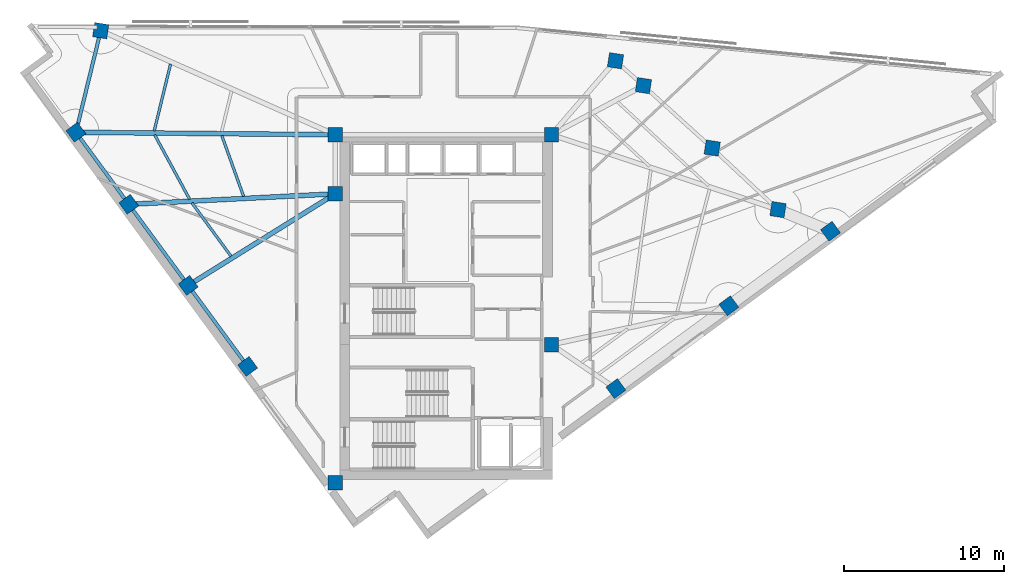
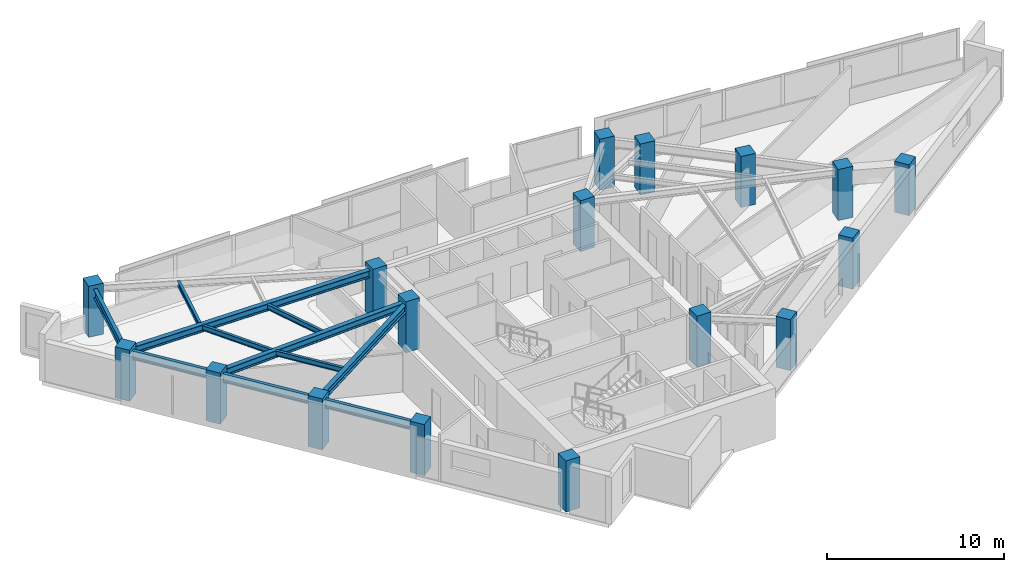
# One storey, part 1 of 14: 17 columns, 11 beams.
"""IFC4 building model written with IfcOpenShell, lengths in metres."""

import ifcopenshell
import ifcopenshell.guid

model = None  # the IFC model being written
_history = None  # IfcOwnerHistory: only IFC2X3 demands one
_inside = {}  # id of a spatial element -> (the spatial element, [elements in it])
_under = {}  # id of a project, library or spatial element -> (it, [spatial elements below it])
_declared = {}  # id of a project -> (the project, [libraries it declares])
_typed = {}  # id of a type object -> (the type object, [elements of that type])
_made_of = {}  # id of a material, layer set ... -> (it, [elements and type objects made of it])


def new_model(schema):
    """Start an empty IFC model of exactly this schema.

    Asked for "IFC4X3", IfcOpenShell would pick the latest addendum, in which some entities
    have other attributes; the version numbers below select the first issue.
    IFC2X3 requires an IfcOwnerHistory on every rooted entity: one is made here for all.
    """
    global model, _history
    if schema == "IFC4X3":
        model = ifcopenshell.file(schema_version=(4, 3, 0, 0))
    else:
        model = ifcopenshell.file(schema=schema)
    _inside.clear()
    _under.clear()
    _declared.clear()
    _typed.clear()
    _made_of.clear()
    _history = None
    if model.schema == "IFC2X3":
        org = make("IfcOrganization", Name="unknown")
        user = make(
            "IfcPersonAndOrganization",
            ThePerson=make("IfcPerson", FamilyName="unknown"),
            TheOrganization=org,
        )
        app = make(
            "IfcApplication",
            ApplicationDeveloper=org,
            Version="unknown",
            ApplicationFullName="unknown",
            ApplicationIdentifier="unknown",
        )
        _history = make(
            "IfcOwnerHistory",
            OwningUser=user,
            OwningApplication=app,
            ChangeAction="ADDED",
            CreationDate=0,
        )
    return model


def make(cls, **values):
    """One entity of the class cls with the attributes given. An attribute that is None is left unset."""
    return model.create_entity(
        cls, **{name: value for name, value in values.items() if value is not None}
    )


def rooted(cls, **values):
    """An entity with a GlobalId (a new one), such as an element, a storey or a relation."""
    return make(cls, GlobalId=ifcopenshell.guid.new(), OwnerHistory=_history, **values)


def si_unit(unit_type, name, prefix=None):
    """IfcSIUnit, for example si_unit("LENGTHUNIT", "METRE", prefix="MILLI")."""
    return make("IfcSIUnit", UnitType=unit_type, Prefix=prefix, Name=name)


def assignment(units):
    """IfcUnitAssignment: the units of a project."""
    return None if units is None else make("IfcUnitAssignment", Units=units)


def point(xyz):
    """IfcCartesianPoint."""
    return None if xyz is None else make("IfcCartesianPoint", Coordinates=xyz)


def direction(xyz):
    """IfcDirection."""
    return None if xyz is None else make("IfcDirection", DirectionRatios=xyz)


def frame(location, z_axis=None, x_axis=None):
    """IfcAxis2Placement3D, a coordinate frame: its origin and axes. An axis left out is left unset."""
    return make(
        "IfcAxis2Placement3D",
        Location=point(location),
        Axis=direction(z_axis),
        RefDirection=direction(x_axis),
    )


def frame_2d(location, x_axis=None):
    """IfcAxis2Placement2D, a coordinate frame in the plane: its origin and x axis."""
    return make(
        "IfcAxis2Placement2D", Location=point(location), RefDirection=direction(x_axis)
    )


def origin():
    """The frame at (0, 0, 0) with its axes left unset."""
    return frame((0.0, 0.0, 0.0))


def origin_2d():
    """The frame at (0, 0) in the plane with its x axis left unset."""
    return frame_2d((0.0, 0.0))


def place(relative_to, where):
    """IfcLocalPlacement: puts the frame where relative to a parent placement (None: the world)."""
    return make(
        "IfcLocalPlacement", PlacementRelTo=relative_to, RelativePlacement=where
    )


def context(
    kind, dimensions, precision=None, world=None, true_north=None, identifier=None
):
    """IfcGeometricRepresentationContext, for example the 3D "Model" context."""
    return make(
        "IfcGeometricRepresentationContext",
        ContextIdentifier=identifier,
        ContextType=kind,
        CoordinateSpaceDimension=dimensions,
        Precision=precision,
        WorldCoordinateSystem=world,
        TrueNorth=true_north,
    )


def subcontext(parent, identifier, kind, view, scale=None):
    """IfcGeometricRepresentationSubContext, for example "Body" below "Model"."""
    return make(
        "IfcGeometricRepresentationSubContext",
        ContextIdentifier=identifier,
        ContextType=kind,
        ParentContext=parent,
        TargetScale=scale,
        TargetView=view,
    )


def project(units=None, contexts=None):
    """IfcProject with its units and contexts."""
    return rooted(
        "IfcProject",
        Name="project",
        RepresentationContexts=contexts,
        UnitsInContext=assignment(units),
    )


def spatial(cls, under=None, at=None, **own):
    """A site, building, storey or space (cls), placed at a placement, below another one or the project."""
    s = rooted(cls, ObjectPlacement=at, **own)
    if under is not None:
        _under.setdefault(under.id(), (under, []))[1].append(s)
    return s


def profile(cls, at=None, kind="AREA", **sizes):
    """A parametric profile (cls). Its sizes go by their IFC names, for example OverallWidth=200.0."""
    return make(cls, ProfileType=kind, Position=at, **sizes)


def rectangle(**sizes):
    """IfcRectangleProfileDef."""
    return profile("IfcRectangleProfileDef", **sizes)


def i_section(**sizes):
    """IfcIShapeProfileDef."""
    return profile("IfcIShapeProfileDef", **sizes)


def extrude(swept, where, along, depth):
    """IfcExtrudedAreaSolid: the profile swept, set in the frame where, extruded along a direction by depth."""
    return make(
        "IfcExtrudedAreaSolid",
        SweptArea=swept,
        Position=where,
        ExtrudedDirection=direction(along),
        Depth=depth,
    )


def shape(context_of_items, identifier, shape_type, items):
    """IfcShapeRepresentation: the items that make up one representation, for example the "Body"."""
    return make(
        "IfcShapeRepresentation",
        ContextOfItems=context_of_items,
        RepresentationIdentifier=identifier,
        RepresentationType=shape_type,
        Items=items,
    )


def material(Name=None, Category=None):
    """IfcMaterial."""
    return make("IfcMaterial", Name=Name, Category=Category)


def material_profile(
    of_material, cross_section, Name=None, Category=None, Priority=None
):
    """IfcMaterialProfile: a cross section and its material."""
    return make(
        "IfcMaterialProfile",
        Name=Name,
        Material=of_material,
        Profile=cross_section,
        Priority=Priority,
        Category=Category,
    )


def profile_set(profiles, Name=None, composite=None):
    """IfcMaterialProfileSet."""
    return make(
        "IfcMaterialProfileSet",
        Name=Name,
        MaterialProfiles=profiles,
        CompositeProfile=composite,
    )


def made_of(thing, what):
    """Note that an element or type object is made of a material, layer set ...; save() writes the relation."""
    if what is not None:
        _made_of.setdefault(what.id(), (what, []))[1].append(thing)
    return thing


def type_object(cls, material=None, **own):
    """A type object (cls), such as IfcWallType, which elements share."""
    return made_of(rooted(cls, **own), material)


def element(
    cls,
    number,
    at=None,
    inside=None,
    cuts=None,
    type_object=None,
    material=None,
    context=None,
    identifier="Body",
    shape_type=None,
    held_by="IfcProductDefinitionShape",
    body=None,
    shapes=None,
    **own,
):
    """One element of the class cls, such as IfcWall. Its Tag is "e" and its number.

    at: its placement. inside: the storey or other place that contains it. cuts: it is an
    opening in that element (IfcRelVoidsElement). A single representation is given by context,
    identifier, shape_type and body (its items); several are given by shapes. held_by: the class
    of the entity that holds the representations. save() writes the other relations.
    """
    e = rooted(cls, Tag="e%d" % number, ObjectPlacement=at, **own)
    if body is not None:
        shapes = [shape(context, identifier, shape_type, body)]
    if shapes is not None:
        e.Representation = make(held_by, Representations=shapes)
    if inside is not None:
        _inside.setdefault(inside.id(), (inside, []))[1].append(e)
    if cuts is not None:
        rooted(
            "IfcRelVoidsElement", RelatingBuildingElement=cuts, RelatedOpeningElement=e
        )
    if type_object is not None:
        _typed.setdefault(type_object.id(), (type_object, []))[1].append(e)
    return made_of(e, material)


def aggregate(whole, parts):
    """IfcRelAggregates: a whole, such as a stair, and the parts it consists of."""
    return rooted("IfcRelAggregates", RelatingObject=whole, RelatedObjects=parts)


def save(model, path):
    """Write the relations noted so far, then the file.

    IfcRelAggregates (storeys below a building ...), IfcRelContainedInSpatialStructure (elements
    in a storey), IfcRelDefinesByType, IfcRelAssociatesMaterial and IfcRelDeclares: one each for
    every whole, place, type object, material and project.
    """
    for whole, parts in _under.values():
        aggregate(whole, parts)
    for where, things in _inside.values():
        rooted(
            "IfcRelContainedInSpatialStructure",
            RelatedElements=things,
            RelatingStructure=where,
        )
    for kind, things in _typed.values():
        rooted("IfcRelDefinesByType", RelatedObjects=things, RelatingType=kind)
    for what, things in _made_of.values():
        rooted("IfcRelAssociatesMaterial", RelatedObjects=things, RelatingMaterial=what)
    for by, libraries in _declared.values():
        rooted("IfcRelDeclares", RelatingContext=by, RelatedDefinitions=libraries)
    model.write(path)


model = new_model("IFC4")

# Units and contexts
model_context = context("Model", 3, precision=1e-05, world=origin(), true_north=direction((0.0, 1.0)))
body_context = subcontext(model_context, "Body", "Model", "MODEL_VIEW")
ifc_project = project(units=[si_unit("LENGTHUNIT", "METRE"), si_unit("AREAUNIT", "SQUARE_METRE"), si_unit("VOLUMEUNIT", "CUBIC_METRE"), si_unit("PLANEANGLEUNIT", "RADIAN"), si_unit("MASSUNIT", "GRAM", prefix="KILO")], contexts=[model_context])

# Site, building, storey
site_placement = place(None, origin())
site = spatial("IfcSite", under=ifc_project, at=site_placement, CompositionType="ELEMENT")
building_placement = place(site_placement, origin())
building = spatial("IfcBuilding", under=site, at=building_placement, Name="Narakoshi Arena Tower", CompositionType="ELEMENT")
storey_placement = place(building_placement, frame((0.0, 0.0, 250.179931640625)))
storey = spatial("IfcBuildingStorey", under=building, at=storey_placement, Name="L68", CompositionType="ELEMENT", Elevation=250.179931640625)

# Columns
ifc_material_1 = material(Name="Concrete C50/60", Category="concrete")
ifc_material_profile_1 = material_profile(ifc_material_1, rectangle(XDim=0.89990234375, YDim=0.89990234375, at=origin_2d()), Name="RC900x900")
ifc_profile_set_1 = profile_set([ifc_material_profile_1], Name="Concrete C50/60")
column_type = type_object("IfcColumnType", Name="COL-RC900", PredefinedType="COLUMN", material=ifc_profile_set_1)
for number, where, z_axis, x_axis, name in (
    (1, (72.0, 34.699951171875, 0.0), (0.0, 0.0, 1.0), (1.0, 0.0, 0.0), "L68 Core Structural Column CC1"),
    (2, (85.550048828125, 43.35009765625, 0.0), (0.0, 0.0, 1.0), (1.0, 0.0, 0.0), "L68 Core Structural Column CC3"),
    (3, (72.0, 52.800048828125, 0.0), (0.0, 0.0, 1.0), (1.0, 0.0, 0.0), "L68 Core Structural Column CC4"),
    (4, (72.0, 56.5, 0.0), (0.0, 0.0, 1.0), (1.0, 0.0, 0.0), "L68 Core Structural Column CC5"),
    (5, (85.550048828125, 56.5, 0.0), (0.0, 0.0, 1.0), (1.0, 0.0, 0.0), "L68 Core Structural Column CC6"),
    (6, (89.58642578125, 40.594482421875, 0.0), (0.0, 0.0, 1.0), (0.806444604267, 0.591309648364, 0.0), "L68 Tower Perimeter Column TC01"),
    (7, (96.663330078125, 45.783447265625, 0.0), (0.0, 0.0, 1.0), (0.806444604267, 0.591309648364, 0.0), "L68 Tower Perimeter Column TC02"),
    (8, (103.032470703125, 50.45361328125, 0.0), (0.0, 0.0, 1.0), (0.806444604267, 0.591309648364, 0.0), "L68 Tower Perimeter Column TC03"),
    (9, (99.74267578125, 51.80712890625, 0.0), (0.0, 0.0, 1.0), (0.15212338619, 0.988361510468, 0.0), "L68 Tower Perimeter Column TC05"),
    (10, (95.619384765625, 55.665283203125, 0.0), (0.0, 0.0, 1.0), (0.15212338619, 0.988361510468, 0.0), "L68 Tower Perimeter Column TC06"),
    (11, (91.311279296875, 59.576416015625, 0.0), (0.0, 0.0, 1.0), (0.15212338619, 0.988361510468, 0.0), "L68 Tower Perimeter Column TC07"),
    (12, (89.5615234375, 61.134765625, 0.0), (0.0, 0.0, 1.0), (0.15212338619, 0.988361510468, 0.0), "L68 Tower Perimeter Column TC08"),
    (13, (57.30908203125, 63.0205078125, 0.0), (0.0, 0.0, 1.0), (0.15212338619, 0.988361510468, 0.0), "L68 Tower Perimeter Column TC10"),
    (14, (55.75341796875, 56.654296875, 0.0), (0.0, 0.0, 1.0), (-0.591309648364, 0.806444604267, 0.0), "L68 Tower Perimeter Column TC13"),
    (15, (59.063232421875, 52.140380859375, 0.0), (0.0, 0.0, 1.0), (-0.591309648364, 0.806444604267, 0.0), "L68 Tower Perimeter Column TC14"),
    (16, (62.786865234375, 47.061767578125, 0.0), (0.0, 0.0, 1.0), (-0.591309648364, 0.806444604267, 0.0), "L68 Tower Perimeter Column TC15"),
    (17, (66.510498046875, 41.9833984375, 0.0), (0.0, 0.0, 1.0), (-0.591309648364, 0.806444604267, 0.0), "L68 Tower Perimeter Column TC16"),
):
    element("IfcColumn", number, at=place(storey_placement, frame(where, z_axis=z_axis, x_axis=x_axis)), inside=storey, type_object=column_type, Name=name, PredefinedType="COLUMN", context=body_context, shape_type="SweptSolid", body=[
        extrude(rectangle(XDim=0.89990234375, YDim=0.89990234375, at=origin_2d()), origin(), (0.0, 0.0, 1.0), 3.52001953125),
    ])

# Beams
ifc_material_2 = material(Name="Structural steel S355J2", Category="steel")
ifc_material_profile_2 = material_profile(ifc_material_2, i_section(OverallWidth=0.219970703125, OverallDepth=0.60009765625, WebThickness=0.011962890625, FlangeThickness=0.01904296875, FilletRadius=0.02392578125, at=origin_2d()), Name="IPE600")
ifc_profile_set_2 = profile_set([ifc_material_profile_2], Name="Structural steel S355J2")
beam_type_1 = type_object("IfcBeamType", Name="BM-EDGE-600", PredefinedType="BEAM", material=ifc_profile_set_2)
beam_1_placement = place(storey_placement, frame((57.30908203125, 63.0205078125, 2.9599609375), z_axis=(-0.237378097084, -0.971417335147, 0.0), x_axis=(0.971417335147, -0.237378097084, 0.0)))
element("IfcBeam", 18, at=beam_1_placement, inside=storey, type_object=beam_type_1, Name="L68 Perimeter Edge Girder 08", PredefinedType="BEAM", context=body_context, shape_type="SweptSolid", body=[
    extrude(i_section(OverallWidth=0.219970703125, OverallDepth=0.60009765625, WebThickness=0.011962890625, FlangeThickness=0.01904296875, FilletRadius=0.02392578125, at=origin_2d()), origin(), (0.0, 0.0, 1.0), 6.553466796875),
])
beam_2_placement = place(storey_placement, frame((55.75341796875, 56.654296875, 2.9599609375), z_axis=(0.591318280641, -0.806438274749, 0.0), x_axis=(0.806438274749, 0.591318280641, 0.0)))
element("IfcBeam", 19, at=beam_2_placement, inside=storey, type_object=beam_type_1, Name="L68 Perimeter Edge Girder 09", PredefinedType="BEAM", context=body_context, shape_type="SweptSolid", body=[
    extrude(i_section(OverallWidth=0.219970703125, OverallDepth=0.60009765625, WebThickness=0.011962890625, FlangeThickness=0.01904296875, FilletRadius=0.02392578125, at=origin_2d()), origin(), (0.0, 0.0, 1.0), 5.597412109375),
])
for number, where, z_axis, x_axis, name in (
    (20, (59.063232421875, 52.140380859375, 2.9599609375), (0.591293071807, -0.80645675844, 0.0), (0.80645675844, 0.591293071807, 0.0), "L68 Perimeter Edge Girder 10"),
    (21, (62.786865234375, 47.061767578125, 2.9599609375), (0.59131155895, -0.806443203364, 0.0), (0.806443203364, 0.59131155895, 0.0), "L68 Perimeter Edge Girder 11"),
):
    element("IfcBeam", number, at=place(storey_placement, frame(where, z_axis=z_axis, x_axis=x_axis)), inside=storey, type_object=beam_type_1, Name=name, PredefinedType="BEAM", context=body_context, shape_type="SweptSolid", body=[
        extrude(i_section(OverallWidth=0.219970703125, OverallDepth=0.60009765625, WebThickness=0.011962890625, FlangeThickness=0.01904296875, FilletRadius=0.02392578125, at=origin_2d()), origin(), (0.0, 0.0, 1.0), 6.29736328125),
    ])
ifc_material_profile_3 = material_profile(ifc_material_2, i_section(OverallWidth=0.300048828125, OverallDepth=0.5, WebThickness=0.014404296875, FlangeThickness=0.028076171875, FilletRadius=0.027099609375, at=origin_2d()), Name="HE500B")
ifc_profile_set_3 = profile_set([ifc_material_profile_3], Name="Structural steel S355J2")
beam_type_2 = type_object("IfcBeamType", Name="BM-PRI-500", PredefinedType="BEAM", material=ifc_profile_set_3)
beam_3_placement = place(storey_placement, frame((72.0, 56.5, 3.010009765625), z_axis=(-0.999954904742, 0.009496761636, 0.0), x_axis=(-0.009496761636, -0.999954904742, 0.0)))
element("IfcBeam", 22, at=beam_3_placement, inside=storey, type_object=beam_type_2, Name="L68 Radial Primary Floor Girder 09", PredefinedType="BEAM", context=body_context, shape_type="SweptSolid", body=[
    extrude(i_section(OverallWidth=0.300048828125, OverallDepth=0.5, WebThickness=0.014404296875, FlangeThickness=0.028076171875, FilletRadius=0.027099609375, at=origin_2d()), origin(), (0.0, 0.0, 1.0), 16.247314453125),
])
beam_4_placement = place(storey_placement, frame((72.0, 52.800048828125, 3.010009765625), z_axis=(-0.998702452309, -0.050925551079, 0.0), x_axis=(0.050925551079, -0.998702452309, 0.0)))
element("IfcBeam", 23, at=beam_4_placement, inside=storey, type_object=beam_type_2, Name="L68 Radial Primary Floor Girder 10", PredefinedType="BEAM", context=body_context, shape_type="SweptSolid", body=[
    extrude(i_section(OverallWidth=0.300048828125, OverallDepth=0.5, WebThickness=0.014404296875, FlangeThickness=0.028076171875, FilletRadius=0.027099609375, at=origin_2d()), origin(), (0.0, 0.0, 1.0), 12.95361328125),
])
beam_5_placement = place(storey_placement, frame((72.0, 52.800048828125, 3.010009765625), z_axis=(-0.848822444764, -0.528678027976, 0.0), x_axis=(0.528678027976, -0.848822444764, 0.0)))
element("IfcBeam", 24, at=beam_5_placement, inside=storey, type_object=beam_type_2, Name="L68 Radial Primary Floor Girder 11", PredefinedType="BEAM", context=body_context, shape_type="SweptSolid", body=[
    extrude(i_section(OverallWidth=0.300048828125, OverallDepth=0.5, WebThickness=0.014404296875, FlangeThickness=0.028076171875, FilletRadius=0.027099609375, at=origin_2d()), origin(), (0.0, 0.0, 1.0), 10.85400390625),
])
ifc_material_profile_4 = material_profile(ifc_material_2, i_section(OverallWidth=0.169921875, OverallDepth=0.360107421875, WebThickness=0.008056640625, FlangeThickness=0.0126953125, FilletRadius=0.01806640625, at=origin_2d()), Name="IPE360")
ifc_profile_set_4 = profile_set([ifc_material_profile_4], Name="Structural steel S355J2")
beam_type_3 = type_object("IfcBeamType", Name="BM-SEC-360", PredefinedType="JOIST", material=ifc_profile_set_4)
beam_6_placement = place(storey_placement, frame((61.684326171875, 60.933349609375, 3.080078125), z_axis=(-0.237383131081, -0.971416105013, 0.0), x_axis=(0.971416105013, -0.237383131081, 0.0)))
element("IfcBeam", 25, at=beam_6_placement, inside=storey, type_object=beam_type_3, Name="L68 Composite Secondary Floor Joist 08", PredefinedType="JOIST", context=body_context, shape_type="SweptSolid", body=[
    extrude(i_section(OverallWidth=0.169921875, OverallDepth=0.360107421875, WebThickness=0.008056640625, FlangeThickness=0.0126953125, FilletRadius=0.01806640625, at=origin_2d()), origin(), (0.0, 0.0, 1.0), 4.3173828125),
])
beam_7_placement = place(storey_placement, frame((64.897216796875, 56.44091796875, 3.080078125), z_axis=(0.33772891616, -0.941243421857, 0.0), x_axis=(0.941243421857, 0.33772891616, 0.0)))
element("IfcBeam", 26, at=beam_7_placement, inside=storey, type_object=beam_type_3, Name="L68 Composite Secondary Floor Joist 09", PredefinedType="JOIST", context=body_context, shape_type="SweptSolid", body=[
    extrude(i_section(OverallWidth=0.169921875, OverallDepth=0.360107421875, WebThickness=0.008056640625, FlangeThickness=0.0126953125, FilletRadius=0.01806640625, at=origin_2d()), origin(), (0.0, 0.0, 1.0), 4.041748046875),
])
beam_8_placement = place(storey_placement, frame((60.691650390625, 56.489501953125, 3.080078125), z_axis=(0.476930980279, -0.878940748885, 0.0), x_axis=(0.878940748885, 0.476930980279, 0.0)))
element("IfcBeam", 27, at=beam_8_placement, inside=storey, type_object=beam_type_3, Name="L68 Composite Secondary Floor Joist 10", PredefinedType="JOIST", context=body_context, shape_type="SweptSolid", body=[
    extrude(i_section(OverallWidth=0.169921875, OverallDepth=0.360107421875, WebThickness=0.008056640625, FlangeThickness=0.0126953125, FilletRadius=0.01806640625, at=origin_2d()), origin(), (0.0, 0.0, 1.0), 4.588134765625),
])
beam_9_placement = place(storey_placement, frame((63.024169921875, 52.229248046875, 3.080078125), z_axis=(0.591289485893, -0.806459387615, 0.0), x_axis=(0.806459387615, 0.591289485893, 0.0)))
element("IfcBeam", 28, at=beam_9_placement, inside=storey, type_object=beam_type_3, Name="L68 Composite Secondary Floor Joist 11", PredefinedType="JOIST", context=body_context, shape_type="SweptSolid", body=[
    extrude(i_section(OverallWidth=0.169921875, OverallDepth=0.360107421875, WebThickness=0.008056640625, FlangeThickness=0.0126953125, FilletRadius=0.01806640625, at=origin_2d()), origin(), (0.0, 0.0, 1.0), 4.137939453125),
])

save(model, "model.ifc")
